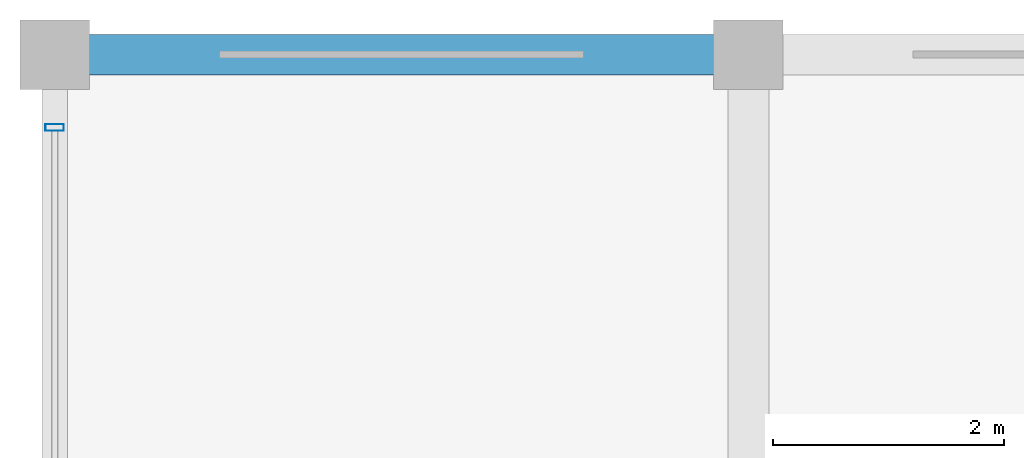
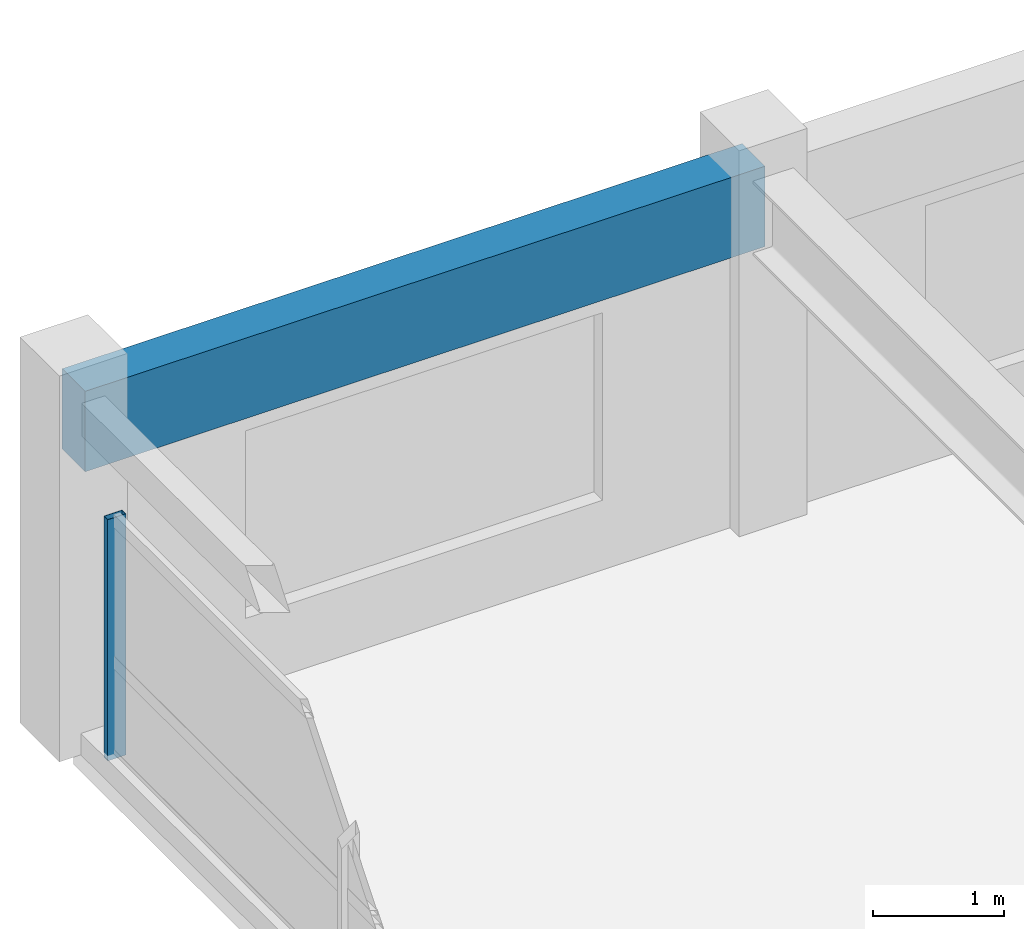
# One storey, part 15 of 22: 1 beam, 1 member, 1 element without a shape of its own.
"""IFC4 building model written with IfcOpenShell, lengths in metres."""

from ifc_helpers import new_model, si_unit, direction, frame, origin, origin_2d, place, context, subcontext, project, spatial, rectangle, hollow_rectangle, extrude, material, material_profile, profile_set, type_object, element, aggregate, save


model = new_model("IFC4")

# Units and contexts
model_context = context("Model", 3, precision=1e-05, world=origin(), true_north=direction((0.0, 1.0)))
body_context = subcontext(model_context, "Body", "Model", "MODEL_VIEW")
ifc_project = project(units=[si_unit("LENGTHUNIT", "METRE"), si_unit("AREAUNIT", "SQUARE_METRE"), si_unit("VOLUMEUNIT", "CUBIC_METRE"), si_unit("PLANEANGLEUNIT", "RADIAN"), si_unit("MASSUNIT", "GRAM", prefix="KILO")], contexts=[model_context])

# Site, building, storey
site_placement = place(None, origin())
site = spatial("IfcSite", under=ifc_project, at=site_placement, CompositionType="ELEMENT")
building_placement = place(site_placement, origin())
building = spatial("IfcBuilding", under=site, at=building_placement, Name="Kaldorvane Square Convention Centre", CompositionType="ELEMENT")
storey_placement = place(building_placement, frame((0.0, 0.0, 67.19999694824219)))
storey = spatial("IfcBuildingStorey", under=building, at=storey_placement, Name="L16", CompositionType="ELEMENT", Elevation=67.19999694824219)

# Beam
ifc_material_1 = material(Name="Concrete f'c = 42 MPa (Normalweight)", Category="concrete")
ifc_material_profile_1 = material_profile(ifc_material_1, rectangle(XDim=0.350006103515625, YDim=0.75, at=origin_2d()), Name="RCSP750X350")
ifc_profile_set_1 = profile_set([ifc_material_profile_1], Name="Concrete f'c = 42 MPa (Normalweight)")
beam_type = type_object("IfcBeamType", Name="BM-SP-RC750", PredefinedType="SPANDREL", material=ifc_profile_set_1)
beam_placement = place(storey_placement, frame((36.0, 117.0, 2.9010009765625), z_axis=(1.0, 0.0, 0.0), x_axis=(0.0, 1.0, 0.0)))
element("IfcBeam", 1, at=beam_placement, inside=storey, type_object=beam_type, Name="Perimeter Spandrel (L16)", PredefinedType="SPANDREL", context=body_context, shape_type="SweptSolid", body=[
    extrude(rectangle(XDim=0.350006103515625, YDim=0.75, at=origin_2d()), origin(), (0.0, 0.0, 1.0), 6.0),
])

# Curtain wall, member
ifc_material_2 = material(Name="Anodized Aluminum and Low-E Insulated Glazing", Category="aluminium")
curtain_wall_type = type_object("IfcCurtainWallType", Name="CW-UNI-HTL-B", PredefinedType="USERDEFINED", material=ifc_material_2)
curtain_wall_placement = place(storey_placement, origin())
curtain_wall = element("IfcCurtainWall", 2, at=curtain_wall_placement, inside=storey, type_object=curtain_wall_type, Name="Curtain Wall CW-11 (L16)", ObjectType="UNITISED GLAZING", PredefinedType="USERDEFINED")
ifc_material_profile_2 = material_profile(ifc_material_2, hollow_rectangle(XDim=0.05999755859375, YDim=0.160003662109375, WallThickness=0.003204345703125, at=origin_2d()), Name="CWM-160X60")
ifc_profile_set_2 = profile_set([ifc_material_profile_2], Name="Anodized Aluminum and Low-E Insulated Glazing")
member_type = type_object("IfcMemberType", Name="CW-MUL-160", PredefinedType="MULLION", material=ifc_profile_set_2)
member_placement = place(storey_placement, frame((36.0, 116.3699951171875, 0.1500091552734375), z_axis=(0.0, 0.0, 1.0), x_axis=(0.0, -1.0, 0.0)))
member = element("IfcMember", 3, at=member_placement, type_object=member_type, Name="CW-11 mullion 1", PredefinedType="MULLION", context=body_context, shape_type="SweptSolid", body=[
    extrude(hollow_rectangle(XDim=0.05999755859375, YDim=0.160003662109375, WallThickness=0.003204345703125, at=origin_2d()), origin(), (0.0, 0.0, 1.0), 2.25),
])
aggregate(curtain_wall, [member])

save(model, "model.ifc")
